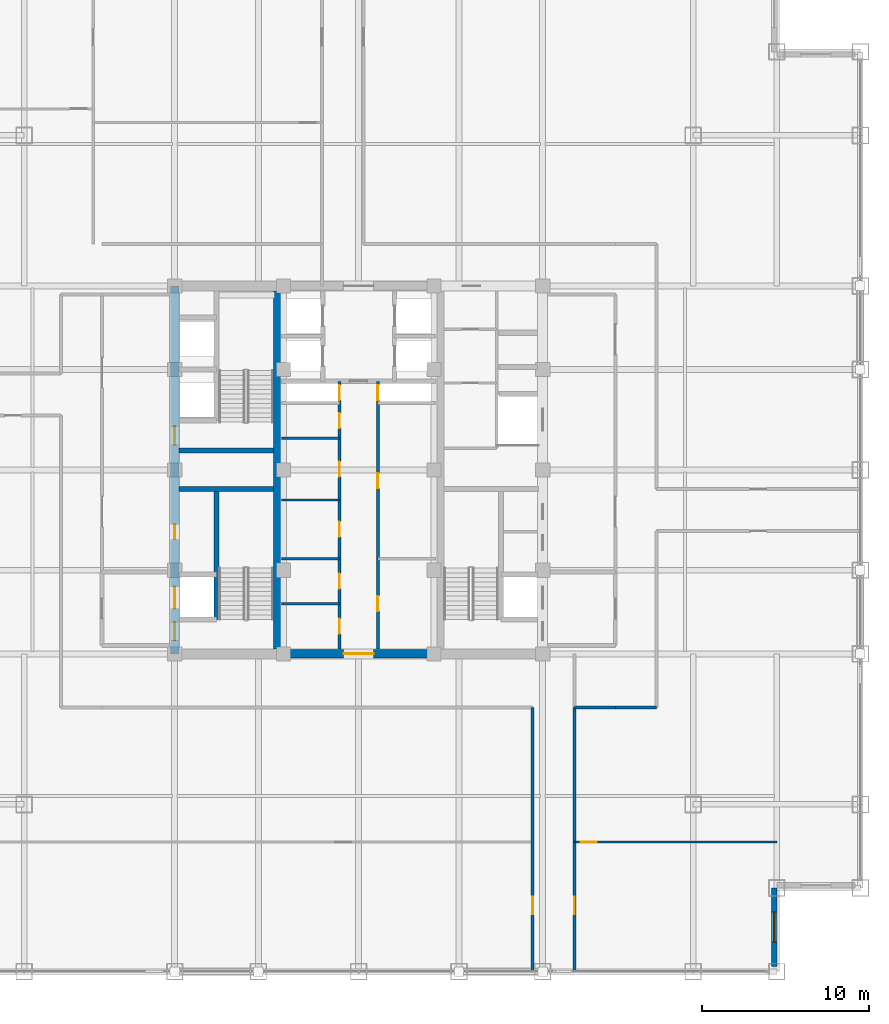
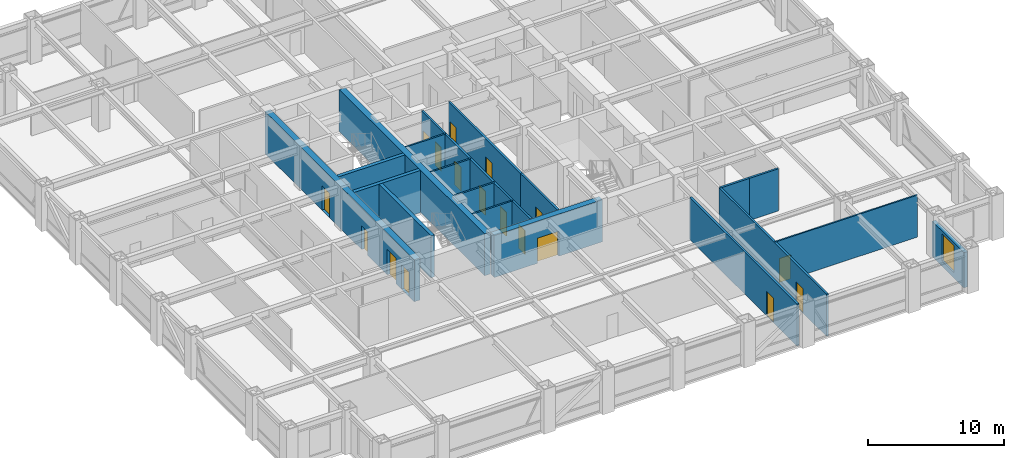
# One storey, part 20 of 24: 20 walls, 17 doors, 1 window, 18 openings.
"""IFC4 building model written with IfcOpenShell, lengths in metres."""

import ifcopenshell
import ifcopenshell.guid

model = None  # the IFC model being written
_history = None  # IfcOwnerHistory: only IFC2X3 demands one
_inside = {}  # id of a spatial element -> (the spatial element, [elements in it])
_under = {}  # id of a project, library or spatial element -> (it, [spatial elements below it])
_declared = {}  # id of a project -> (the project, [libraries it declares])
_typed = {}  # id of a type object -> (the type object, [elements of that type])
_made_of = {}  # id of a material, layer set ... -> (it, [elements and type objects made of it])


def new_model(schema):
    """Start an empty IFC model of exactly this schema.

    Asked for "IFC4X3", IfcOpenShell would pick the latest addendum, in which some entities
    have other attributes; the version numbers below select the first issue.
    IFC2X3 requires an IfcOwnerHistory on every rooted entity: one is made here for all.
    """
    global model, _history
    if schema == "IFC4X3":
        model = ifcopenshell.file(schema_version=(4, 3, 0, 0))
    else:
        model = ifcopenshell.file(schema=schema)
    _inside.clear()
    _under.clear()
    _declared.clear()
    _typed.clear()
    _made_of.clear()
    _history = None
    if model.schema == "IFC2X3":
        org = make("IfcOrganization", Name="unknown")
        user = make(
            "IfcPersonAndOrganization",
            ThePerson=make("IfcPerson", FamilyName="unknown"),
            TheOrganization=org,
        )
        app = make(
            "IfcApplication",
            ApplicationDeveloper=org,
            Version="unknown",
            ApplicationFullName="unknown",
            ApplicationIdentifier="unknown",
        )
        _history = make(
            "IfcOwnerHistory",
            OwningUser=user,
            OwningApplication=app,
            ChangeAction="ADDED",
            CreationDate=0,
        )
    return model


def make(cls, **values):
    """One entity of the class cls with the attributes given. An attribute that is None is left unset."""
    return model.create_entity(
        cls, **{name: value for name, value in values.items() if value is not None}
    )


def rooted(cls, **values):
    """An entity with a GlobalId (a new one), such as an element, a storey or a relation."""
    return make(cls, GlobalId=ifcopenshell.guid.new(), OwnerHistory=_history, **values)


def si_unit(unit_type, name, prefix=None):
    """IfcSIUnit, for example si_unit("LENGTHUNIT", "METRE", prefix="MILLI")."""
    return make("IfcSIUnit", UnitType=unit_type, Prefix=prefix, Name=name)


def assignment(units):
    """IfcUnitAssignment: the units of a project."""
    return None if units is None else make("IfcUnitAssignment", Units=units)


def point(xyz):
    """IfcCartesianPoint."""
    return None if xyz is None else make("IfcCartesianPoint", Coordinates=xyz)


def direction(xyz):
    """IfcDirection."""
    return None if xyz is None else make("IfcDirection", DirectionRatios=xyz)


def frame(location, z_axis=None, x_axis=None):
    """IfcAxis2Placement3D, a coordinate frame: its origin and axes. An axis left out is left unset."""
    return make(
        "IfcAxis2Placement3D",
        Location=point(location),
        Axis=direction(z_axis),
        RefDirection=direction(x_axis),
    )


def frame_2d(location, x_axis=None):
    """IfcAxis2Placement2D, a coordinate frame in the plane: its origin and x axis."""
    return make(
        "IfcAxis2Placement2D", Location=point(location), RefDirection=direction(x_axis)
    )


def origin():
    """The frame at (0, 0, 0) with its axes left unset."""
    return frame((0.0, 0.0, 0.0))


def place(relative_to, where):
    """IfcLocalPlacement: puts the frame where relative to a parent placement (None: the world)."""
    return make(
        "IfcLocalPlacement", PlacementRelTo=relative_to, RelativePlacement=where
    )


def context(
    kind, dimensions, precision=None, world=None, true_north=None, identifier=None
):
    """IfcGeometricRepresentationContext, for example the 3D "Model" context."""
    return make(
        "IfcGeometricRepresentationContext",
        ContextIdentifier=identifier,
        ContextType=kind,
        CoordinateSpaceDimension=dimensions,
        Precision=precision,
        WorldCoordinateSystem=world,
        TrueNorth=true_north,
    )


def subcontext(parent, identifier, kind, view, scale=None):
    """IfcGeometricRepresentationSubContext, for example "Body" below "Model"."""
    return make(
        "IfcGeometricRepresentationSubContext",
        ContextIdentifier=identifier,
        ContextType=kind,
        ParentContext=parent,
        TargetScale=scale,
        TargetView=view,
    )


def project(units=None, contexts=None):
    """IfcProject with its units and contexts."""
    return rooted(
        "IfcProject",
        Name="project",
        RepresentationContexts=contexts,
        UnitsInContext=assignment(units),
    )


def spatial(cls, under=None, at=None, **own):
    """A site, building, storey or space (cls), placed at a placement, below another one or the project."""
    s = rooted(cls, ObjectPlacement=at, **own)
    if under is not None:
        _under.setdefault(under.id(), (under, []))[1].append(s)
    return s


def profile(cls, at=None, kind="AREA", **sizes):
    """A parametric profile (cls). Its sizes go by their IFC names, for example OverallWidth=200.0."""
    return make(cls, ProfileType=kind, Position=at, **sizes)


def rectangle(**sizes):
    """IfcRectangleProfileDef."""
    return profile("IfcRectangleProfileDef", **sizes)


def extrude(swept, where, along, depth):
    """IfcExtrudedAreaSolid: the profile swept, set in the frame where, extruded along a direction by depth."""
    return make(
        "IfcExtrudedAreaSolid",
        SweptArea=swept,
        Position=where,
        ExtrudedDirection=direction(along),
        Depth=depth,
    )


def shape(context_of_items, identifier, shape_type, items):
    """IfcShapeRepresentation: the items that make up one representation, for example the "Body"."""
    return make(
        "IfcShapeRepresentation",
        ContextOfItems=context_of_items,
        RepresentationIdentifier=identifier,
        RepresentationType=shape_type,
        Items=items,
    )


def source(mapping_origin, context_of_items, identifier, shape_type, items):
    """IfcRepresentationMap: a shape defined once, which mapped items show again and again."""
    return make(
        "IfcRepresentationMap",
        MappingOrigin=mapping_origin,
        MappedRepresentation=shape(context_of_items, identifier, shape_type, items),
    )


def transform(
    local_origin,
    x_axis=None,
    y_axis=None,
    z_axis=None,
    scale=None,
    scale2=None,
    scale3=None,
    uniform=True,
):
    """IfcCartesianTransformationOperator3D, or its non-uniform kind. x_axis, y_axis, z_axis: its Axis1, 2, 3."""
    if uniform:
        return make(
            "IfcCartesianTransformationOperator3D",
            Axis1=direction(x_axis),
            Axis2=direction(y_axis),
            LocalOrigin=point(local_origin),
            Scale=scale,
            Axis3=direction(z_axis),
        )
    return make(
        "IfcCartesianTransformationOperator3DnonUniform",
        Axis1=direction(x_axis),
        Axis2=direction(y_axis),
        LocalOrigin=point(local_origin),
        Scale=scale,
        Axis3=direction(z_axis),
        Scale2=scale2,
        Scale3=scale3,
    )


def mapped(mapping_source, mapping_target):
    """IfcMappedItem: shows the shape of a source again, moved by a transform."""
    return make(
        "IfcMappedItem", MappingSource=mapping_source, MappingTarget=mapping_target
    )


def material(Name=None, Category=None):
    """IfcMaterial."""
    return make("IfcMaterial", Name=Name, Category=Category)


def layer(
    of_material, thickness, ventilated=None, Name=None, Category=None, Priority=None
):
    """IfcMaterialLayer: one layer of a wall or slab, of a material (None: an air gap)."""
    return make(
        "IfcMaterialLayer",
        Material=of_material,
        LayerThickness=thickness,
        IsVentilated=ventilated,
        Name=Name,
        Category=Category,
        Priority=Priority,
    )


def layer_set(layers, Name=None):
    """IfcMaterialLayerSet."""
    return make("IfcMaterialLayerSet", MaterialLayers=layers, LayerSetName=Name)


def made_of(thing, what):
    """Note that an element or type object is made of a material, layer set ...; save() writes the relation."""
    if what is not None:
        _made_of.setdefault(what.id(), (what, []))[1].append(thing)
    return thing


def type_object(cls, material=None, **own):
    """A type object (cls), such as IfcWallType, which elements share."""
    return made_of(rooted(cls, **own), material)


def element(
    cls,
    number,
    at=None,
    inside=None,
    cuts=None,
    type_object=None,
    material=None,
    context=None,
    identifier="Body",
    shape_type=None,
    held_by="IfcProductDefinitionShape",
    body=None,
    shapes=None,
    **own,
):
    """One element of the class cls, such as IfcWall. Its Tag is "e" and its number.

    at: its placement. inside: the storey or other place that contains it. cuts: it is an
    opening in that element (IfcRelVoidsElement). A single representation is given by context,
    identifier, shape_type and body (its items); several are given by shapes. held_by: the class
    of the entity that holds the representations. save() writes the other relations.
    """
    e = rooted(cls, Tag="e%d" % number, ObjectPlacement=at, **own)
    if body is not None:
        shapes = [shape(context, identifier, shape_type, body)]
    if shapes is not None:
        e.Representation = make(held_by, Representations=shapes)
    if inside is not None:
        _inside.setdefault(inside.id(), (inside, []))[1].append(e)
    if cuts is not None:
        rooted(
            "IfcRelVoidsElement", RelatingBuildingElement=cuts, RelatedOpeningElement=e
        )
    if type_object is not None:
        _typed.setdefault(type_object.id(), (type_object, []))[1].append(e)
    return made_of(e, material)


def fill(opening, filler):
    """IfcRelFillsElement: the door or window that sits in an opening."""
    return rooted(
        "IfcRelFillsElement",
        RelatingOpeningElement=opening,
        RelatedBuildingElement=filler,
    )


def aggregate(whole, parts):
    """IfcRelAggregates: a whole, such as a stair, and the parts it consists of."""
    return rooted("IfcRelAggregates", RelatingObject=whole, RelatedObjects=parts)


def save(model, path):
    """Write the relations noted so far, then the file.

    IfcRelAggregates (storeys below a building ...), IfcRelContainedInSpatialStructure (elements
    in a storey), IfcRelDefinesByType, IfcRelAssociatesMaterial and IfcRelDeclares: one each for
    every whole, place, type object, material and project.
    """
    for whole, parts in _under.values():
        aggregate(whole, parts)
    for where, things in _inside.values():
        rooted(
            "IfcRelContainedInSpatialStructure",
            RelatedElements=things,
            RelatingStructure=where,
        )
    for kind, things in _typed.values():
        rooted("IfcRelDefinesByType", RelatedObjects=things, RelatingType=kind)
    for what, things in _made_of.values():
        rooted("IfcRelAssociatesMaterial", RelatedObjects=things, RelatingMaterial=what)
    for by, libraries in _declared.values():
        rooted("IfcRelDeclares", RelatingContext=by, RelatedDefinitions=libraries)
    model.write(path)


model = new_model("IFC4")

# Units and contexts
model_context = context("Model", 3, precision=1e-05, world=origin(), true_north=direction((0.0, 1.0)))
body_context = subcontext(model_context, "Body", "Model", "MODEL_VIEW")
ifc_project = project(units=[si_unit("LENGTHUNIT", "METRE"), si_unit("AREAUNIT", "SQUARE_METRE"), si_unit("VOLUMEUNIT", "CUBIC_METRE"), si_unit("PLANEANGLEUNIT", "RADIAN"), si_unit("MASSUNIT", "GRAM", prefix="KILO")], contexts=[model_context])

# Site, building, storey
site_placement = place(None, origin())
site = spatial("IfcSite", under=ifc_project, at=site_placement, CompositionType="ELEMENT")
building_placement = place(site_placement, origin())
building = spatial("IfcBuilding", under=site, at=building_placement, Name="Khorayat Bourse Tower", CompositionType="ELEMENT")
storey_placement = place(building_placement, frame((0.0, 0.0, 259.10009765625)))
storey = spatial("IfcBuildingStorey", under=building, at=storey_placement, Name="L61", CompositionType="ELEMENT", Elevation=259.10009765625)

# Wall
ifc_material_1 = material(Name="Concrete C52/65", Category="concrete")
ifc_layer_1 = layer(ifc_material_1, 0.5)
ifc_layer_set_1 = layer_set([ifc_layer_1], Name="Concrete C52/65")
wall_type_1 = type_object("IfcWallType", Name="WAL-CORE-500", PredefinedType="SHEAR", material=ifc_layer_set_1)
shared_shape_1 = source(origin(), body_context, "Body", "SweptSolid", [
    extrude(rectangle(XDim=21.39990234375, YDim=0.5, at=frame_2d((10.699951171875, 0.0))), origin(), (0.0, 0.0, 1.0), 3.77978515625),
])
wall_1_placement = place(storey_placement, frame((-4.85009765625, -10.699951171875, 0.0), z_axis=(0.0, 0.0, 1.0), x_axis=(0.0, 1.0, 0.0)))
element("IfcWall", 1, at=wall_1_placement, inside=storey, type_object=wall_type_1, Name="L61 Core Shear Wall PIER-W", PredefinedType="SHEAR", context=body_context, shape_type="MappedRepresentation", body=[
    mapped(shared_shape_1, transform((0.0, 0.0, 0.0), scale=1.0)),
])

# Wall, opening, door
shared_shape_2 = source(origin(), body_context, "Body", "SweptSolid", [
    extrude(rectangle(XDim=9.2001953125, YDim=0.5, at=frame_2d((4.60009765625, 0.0))), origin(), (0.0, 0.0, 1.0), 3.77978515625),
])
wall_2_placement = place(storey_placement, frame((-4.60009765625, -11.0, 0.0), z_axis=(0.0, 0.0, 1.0), x_axis=(1.0, 0.0, 0.0)))
wall_2 = element("IfcWall", 2, at=wall_2_placement, inside=storey, type_object=wall_type_1, Name="L61 Core Shear Wall CORE-S", PredefinedType="SHEAR", context=body_context, shape_type="MappedRepresentation", body=[
    mapped(shared_shape_2, transform((0.0, 0.0, 0.0), scale=1.0)),
])
shared_shape_3 = source(origin(), body_context, "Body", "SweptSolid", [
    extrude(rectangle(XDim=1.800048828125, YDim=2.25, at=frame_2d((0.89990234375, 1.125))), frame((0.0, 0.260009765625, 0.0), z_axis=(0.0, -1.0, 0.0), x_axis=(1.0, 0.0, 0.0)), (0.0, 0.0, 1.0), 0.52001953125),
])
opening_1_placement = place(wall_2_placement, frame((3.699951171875, 0.0, 0.0)))
opening_1 = element("IfcOpeningElement", 3, at=opening_1_placement, cuts=wall_2, Name="Opening DI-03", PredefinedType="OPENING", context=body_context, shape_type="MappedRepresentation", body=[
    mapped(shared_shape_3, transform((0.0, 0.0, 0.0), scale=1.0)),
])
ifc_material_2 = material(Name="Fire-rated hardwood vision-panel double leaf", Category="wood")
door_type_1 = type_object("IfcDoorType", Name="DR-INT-CORR-1800", OperationType="NOTDEFINED", PredefinedType="DOOR", material=ifc_material_2)
shared_shape_4 = source(origin(), body_context, "Body", "SweptSolid", [
    extrude(rectangle(XDim=1.800048828125, YDim=2.25, at=frame_2d((0.89990234375, 1.125))), frame((0.0, 0.02490234375, 0.0), z_axis=(0.0, -1.0, 0.0), x_axis=(1.0, 0.0, 0.0)), (0.0, 0.0, 1.0), 0.050048828125),
])
door_1_placement = place(opening_1_placement, origin())
door_1 = element("IfcDoor", 4, at=door_1_placement, inside=storey, type_object=door_type_1, Name="L61 Central Core South Passage Door", OperationType="SINGLE_SWING_LEFT", OverallHeight=2.25, OverallWidth=1.800048828125, PredefinedType="DOOR", context=body_context, shape_type="MappedRepresentation", body=[
    mapped(shared_shape_4, transform((0.0, 0.0, 0.0), scale=1.0)),
])
fill(opening_1, door_1)

# Wall, openings, doors
shared_shape_5 = source(origin(), body_context, "Body", "SweptSolid", [
    extrude(rectangle(XDim=22.0, YDim=0.5, at=frame_2d((11.0, 0.0))), origin(), (0.0, 0.0, 1.0), 3.77978515625),
])
wall_3_placement = place(storey_placement, frame((-11.0, -11.0, 0.0), z_axis=(0.0, 0.0, 1.0), x_axis=(0.0, 1.0, 0.0)))
wall_3 = element("IfcWall", 5, at=wall_3_placement, inside=storey, type_object=wall_type_1, Name="L61 Core Shear Wall CORE-W", PredefinedType="SHEAR", context=body_context, shape_type="MappedRepresentation", body=[
    mapped(shared_shape_5, transform((0.0, 0.0, 0.0), scale=1.0)),
])
shared_shape_6 = source(origin(), body_context, "Body", "SweptSolid", [
    extrude(rectangle(XDim=1.10009765625, YDim=2.199951171875, at=frame_2d((0.550048828125, 1.10009765625))), frame((0.0, 0.260009765625, 0.0), z_axis=(0.0, -1.0, 0.0), x_axis=(1.0, 0.0, 0.0)), (0.0, 0.0, 1.0), 0.52001953125),
])
opening_2_placement = place(wall_3_placement, frame((0.800048828125, 0.0, 0.0)))
opening_2 = element("IfcOpeningElement", 6, at=opening_2_placement, cuts=wall_3, Name="Opening DI-01", PredefinedType="OPENING", context=body_context, shape_type="MappedRepresentation", body=[
    mapped(shared_shape_6, transform((0.0, 0.0, 0.0), scale=1.0)),
])
opening_3_placement = place(wall_3_placement, frame((12.5, 0.0, 0.0)))
opening_3 = element("IfcOpeningElement", 7, at=opening_3_placement, cuts=wall_3, Name="Opening DI-01", PredefinedType="OPENING", context=body_context, shape_type="MappedRepresentation", body=[
    mapped(shared_shape_6, transform((0.0, 0.0, 0.0), scale=1.0)),
])
shared_shape_7 = source(origin(), body_context, "Body", "SweptSolid", [
    extrude(rectangle(XDim=0.89990234375, YDim=2.14990234375, at=frame_2d((0.449951171875, 1.074951171875))), frame((0.0, 0.260009765625, 0.0), z_axis=(0.0, -1.0, 0.0), x_axis=(1.0, 0.0, 0.0)), (0.0, 0.0, 1.0), 0.52001953125),
])
opening_4_placement = place(wall_3_placement, frame((6.85009765625, 0.0, 0.0)))
opening_4 = element("IfcOpeningElement", 8, at=opening_4_placement, cuts=wall_3, Name="Opening DI-06", PredefinedType="OPENING", context=body_context, shape_type="MappedRepresentation", body=[
    mapped(shared_shape_7, transform((0.0, 0.0, 0.0), scale=1.0)),
])
shared_shape_8 = source(origin(), body_context, "Body", "SweptSolid", [
    extrude(rectangle(XDim=1.300048828125, YDim=2.300048828125, at=frame_2d((0.64990234375, 1.14990234375))), frame((0.0, 0.260009765625, 0.0), z_axis=(0.0, -1.0, 0.0), x_axis=(1.0, 0.0, 0.0)), (0.0, 0.0, 1.0), 0.52001953125),
])
opening_5_placement = place(wall_3_placement, frame((2.699951171875, 0.0, 0.0)))
opening_5 = element("IfcOpeningElement", 9, at=opening_5_placement, cuts=wall_3, Name="Opening LD-02", PredefinedType="OPENING", context=body_context, shape_type="MappedRepresentation", body=[
    mapped(shared_shape_8, transform((0.0, 0.0, 0.0), scale=1.0)),
])
ifc_material_3 = material(Name="Fire-rated steel acoustic leaf", Category="steel")
door_type_2 = type_object("IfcDoorType", Name="DR-INT-STAIR-1100", OperationType="NOTDEFINED", PredefinedType="DOOR", material=ifc_material_3)
shared_shape_9 = source(origin(), body_context, "Body", "SweptSolid", [
    extrude(rectangle(XDim=1.10009765625, YDim=2.199951171875, at=frame_2d((0.550048828125, 1.10009765625))), frame((0.0, 0.02490234375, 0.0), z_axis=(0.0, -1.0, 0.0), x_axis=(1.0, 0.0, 0.0)), (0.0, 0.0, 1.0), 0.050048828125),
])
door_2_placement = place(opening_2_placement, origin())
door_2 = element("IfcDoor", 10, at=door_2_placement, inside=storey, type_object=door_type_2, Name="L61 Exit Stair 1 Door", OperationType="SINGLE_SWING_RIGHT", OverallHeight=2.199951171875, OverallWidth=1.10009765625, PredefinedType="DOOR", context=body_context, shape_type="MappedRepresentation", body=[
    mapped(shared_shape_9, transform((0.0, 0.0, 0.0), scale=1.0)),
])
fill(opening_2, door_2)
door_3_placement = place(opening_3_placement, origin())
door_3 = element("IfcDoor", 11, at=door_3_placement, inside=storey, type_object=door_type_2, Name="L61 Exit Stair 2 Door", OperationType="SINGLE_SWING_RIGHT", OverallHeight=2.199951171875, OverallWidth=1.10009765625, PredefinedType="DOOR", context=body_context, shape_type="MappedRepresentation", body=[
    mapped(shared_shape_9, transform((0.0, 0.0, 0.0), scale=1.0)),
])
fill(opening_3, door_3)
ifc_material_4 = material(Name="Moisture-resistant laminate washroom door")
door_type_3 = type_object("IfcDoorType", Name="DR-INT-WC-900", OperationType="NOTDEFINED", PredefinedType="DOOR", material=ifc_material_4)
shared_shape_10 = source(origin(), body_context, "Body", "SweptSolid", [
    extrude(rectangle(XDim=0.89990234375, YDim=2.14990234375, at=frame_2d((0.449951171875, 1.074951171875))), frame((0.0, 0.02490234375, 0.0), z_axis=(0.0, -1.0, 0.0), x_axis=(1.0, 0.0, 0.0)), (0.0, 0.0, 1.0), 0.050048828125),
])
door_4_placement = place(opening_4_placement, origin())
door_4 = element("IfcDoor", 12, at=door_4_placement, inside=storey, type_object=door_type_3, Name="L61 Electrical Switch Plant Room Door", OperationType="SINGLE_SWING_RIGHT", OverallHeight=2.14990234375, OverallWidth=0.89990234375, PredefinedType="DOOR", context=body_context, shape_type="MappedRepresentation", body=[
    mapped(shared_shape_10, transform((0.0, 0.0, 0.0), scale=1.0)),
])
fill(opening_4, door_4)
ifc_material_5 = material(Name="Fire-rated stainless-steel sliding landing door", Category="steel")
door_type_4 = type_object("IfcDoorType", Name="DR-LIFT-FF-1300", OperationType="NOTDEFINED", PredefinedType="DOOR", material=ifc_material_5)
shared_shape_11 = source(origin(), body_context, "Body", "SweptSolid", [
    extrude(rectangle(XDim=1.300048828125, YDim=2.300048828125, at=frame_2d((0.64990234375, 1.14990234375))), frame((0.0, 0.02490234375, 0.0), z_axis=(0.0, -1.0, 0.0), x_axis=(1.0, 0.0, 0.0)), (0.0, 0.0, 1.0), 0.050048828125),
])
door_5_placement = place(opening_5_placement, origin())
door_5 = element("IfcDoor", 13, at=door_5_placement, inside=storey, type_object=door_type_4, Name="L61 Lift FFL-01 Sliding Landing Door", OperationType="SLIDING_TO_LEFT", OverallHeight=2.300048828125, OverallWidth=1.300048828125, PredefinedType="DOOR", context=body_context, shape_type="MappedRepresentation", body=[
    mapped(shared_shape_11, transform((0.0, 0.0, 0.0), scale=1.0)),
])
fill(opening_5, door_5)

# Walls
ifc_material_6 = material(Name="Concrete C50/60", Category="concrete")
ifc_layer_2 = layer(ifc_material_6, 0.300048828125)
ifc_layer_set_2 = layer_set([ifc_layer_2], Name="Concrete C50/60")
wall_type_2 = type_object("IfcWallType", Name="WAL-SHAFT-300", PredefinedType="SHEAR", material=ifc_layer_set_2)
shared_shape_12 = source(origin(), body_context, "Body", "SweptSolid", [
    extrude(rectangle(XDim=5.64990234375, YDim=0.300048828125, at=frame_2d((2.824951171875, 0.0))), origin(), (0.0, 0.0, 1.0), 3.77978515625),
])
for number, where, z_axis, x_axis, name in (
    (14, (-10.75, -1.14990234375, 0.0), (0.0, 0.0, 1.0), (1.0, 0.0, 0.0), "L61 Core Shear Wall ST1-DIV"),
    (15, (-10.75, 1.14990234375, 0.0), (0.0, 0.0, 1.0), (1.0, 0.0, 0.0), "L61 Core Shear Wall ST2-DIV"),
):
    element("IfcWall", number, at=place(storey_placement, frame(where, z_axis=z_axis, x_axis=x_axis)), inside=storey, type_object=wall_type_2, Name=name, PredefinedType="SHEAR", context=body_context, shape_type="MappedRepresentation", body=[
        mapped(shared_shape_12, transform((0.0, 0.0, 0.0), scale=1.0)),
    ])

# Wall, opening, window
ifc_material_7 = material(Name="Precast concrete C45/55", Category="concrete")
ifc_layer_3 = layer(ifc_material_7, 0.320068359375)
ifc_layer_set_3 = layer_set([ifc_layer_3], Name="Precast concrete C45/55")
wall_type_3 = type_object("IfcWallType", Name="WAL-EXT-STONE-320", PredefinedType="STANDARD", material=ifc_layer_set_3)
shared_shape_13 = source(origin(), body_context, "Body", "SweptSolid", [
    extrude(rectangle(XDim=4.679931640625, YDim=0.320068359375, at=frame_2d((2.33984375, 0.0))), origin(), (0.0, 0.0, 1.0), 3.163818359375),
])
wall_4_placement = place(storey_placement, frame((24.840087890625, -29.679931640625, 0.0), z_axis=(0.0, 0.0, 1.0), x_axis=(0.0, 1.0, 0.0)))
wall_4 = element("IfcWall", 16, at=wall_4_placement, inside=storey, type_object=wall_type_3, Name="L61 Re-Entrant Notch Limestone Wall SE-V", PredefinedType="STANDARD", context=body_context, shape_type="MappedRepresentation", body=[
    mapped(shared_shape_13, transform((0.0, 0.0, 0.0), scale=1.0)),
])
shared_shape_14 = source(origin(), body_context, "Body", "SweptSolid", [
    extrude(rectangle(XDim=1.800048828125, YDim=2.39990234375, at=frame_2d((0.89990234375, 1.199951171875))), frame((0.0, 0.169921875, 0.0), z_axis=(0.0, -1.0, 0.0), x_axis=(1.0, 0.0, 0.0)), (0.0, 0.0, 1.0), 0.340087890625),
])
opening_6_placement = place(wall_4_placement, frame((1.43994140625, 0.0, 0.5)))
opening_6 = element("IfcOpeningElement", 17, at=opening_6_placement, cuts=wall_4, Name="Opening WN-04", PredefinedType="OPENING", context=body_context, shape_type="MappedRepresentation", body=[
    mapped(shared_shape_14, transform((0.0, 0.0, 0.0), scale=1.0)),
])
ifc_material_8 = material(Name="Low-E acoustic laminated double glazing", Category="glass")
window_type = type_object("IfcWindowType", Name="WIN-NOTCH-1800x2400", PartitioningType="SINGLE_PANEL", PredefinedType="WINDOW", material=ifc_material_8)
shared_shape_15 = source(origin(), body_context, "Body", "SweptSolid", [
    extrude(rectangle(XDim=1.800048828125, YDim=2.39990234375, at=frame_2d((0.89990234375, 1.199951171875))), frame((0.0, 0.030029296875, 0.0), z_axis=(0.0, -1.0, 0.0), x_axis=(1.0, 0.0, 0.0)), (0.0, 0.0, 1.0), 0.06005859375),
])
window_placement = place(opening_6_placement, origin())
window = element("IfcWindow", 18, at=window_placement, inside=storey, type_object=window_type, Name="L61 Facade Window 1", OverallHeight=2.39990234375, OverallWidth=1.800048828125, PartitioningType="SINGLE_PANEL", PredefinedType="WINDOW", context=body_context, shape_type="MappedRepresentation", body=[
    mapped(shared_shape_15, transform((0.0, 0.0, 0.0), scale=1.0)),
])
fill(opening_6, window)

# Walls
shared_shape_16 = source(origin(), body_context, "Body", "SweptSolid", [
    extrude(rectangle(XDim=7.800048828125, YDim=0.300048828125, at=frame_2d((3.89990234375, 0.0))), origin(), (0.0, 0.0, 1.0), 3.77978515625),
])
wall_5_placement = place(storey_placement, frame((-8.5, -8.949951171875, 0.0), z_axis=(0.0, 0.0, 1.0), x_axis=(0.0, 1.0, 0.0)))
element("IfcWall", 19, at=wall_5_placement, inside=storey, type_object=wall_type_2, Name="L61 Partition WAL-L61-WPIER-SP", PredefinedType="SHEAR", context=body_context, shape_type="MappedRepresentation", body=[
    mapped(shared_shape_16, transform((0.0, 0.0, 0.0), scale=1.0)),
])
ifc_material_9 = material(Name="Gypsum plasterboard twin-frame partition")
ifc_layer_4 = layer(ifc_material_9, 0.14990234375)
ifc_layer_set_4 = layer_set([ifc_layer_4], Name="Gypsum plasterboard twin-frame partition")
wall_type_4 = type_object("IfcWallType", Name="WAL-PART-SUITE-150", PredefinedType="PARTITIONING", material=ifc_layer_set_4)
shared_shape_17 = source(origin(), body_context, "Body", "SweptSolid", [
    extrude(rectangle(XDim=3.4501953125, YDim=0.14990234375, at=frame_2d((1.72509765625, 0.0))), origin(), (0.0, 0.0, 1.0), 3.77978515625),
])
wall_6_placement = place(storey_placement, frame((-4.60009765625, -5.300048828125, 0.0), z_axis=(0.0, 0.0, 1.0), x_axis=(1.0, 0.0, 0.0)))
element("IfcWall", 20, at=wall_6_placement, inside=storey, type_object=wall_type_4, Name="L61 Partition WAL-L61-FB1-NW", PredefinedType="PARTITIONING", context=body_context, shape_type="MappedRepresentation", body=[
    mapped(shared_shape_17, transform((0.0, 0.0, 0.0), scale=1.0)),
])
ifc_material_10 = material(Name="Moisture-resistant masonry partition", Category="masonry")
ifc_layer_5 = layer(ifc_material_10, 0.139892578125)
ifc_layer_set_5 = layer_set([ifc_layer_5], Name="Moisture-resistant masonry partition")
wall_type_5 = type_object("IfcWallType", Name="WAL-PART-WET-140", PredefinedType="PARTITIONING", material=ifc_layer_set_5)
shared_shape_18 = source(origin(), body_context, "Body", "SweptSolid", [
    extrude(rectangle(XDim=3.4501953125, YDim=0.139892578125, at=frame_2d((1.72509765625, 0.0))), origin(), (0.0, 0.0, 1.0), 3.77978515625),
])
for number, where, z_axis, x_axis, name in (
    (21, (-4.60009765625, -8.0, 0.0), (0.0, 0.0, 1.0), (1.0, 0.0, 0.0), "L61 Partition WAL-L61-FB1W-D1"),
    (22, (-4.60009765625, -1.800048828125, 0.0), (0.0, 0.0, 1.0), (1.0, 0.0, 0.0), "L61 Partition WAL-L61-CMW-D1"),
    (23, (-4.60009765625, 1.89990234375, 0.0), (0.0, 0.0, 1.0), (1.0, 0.0, 0.0), "L61 Partition WAL-L61-CMW-D2"),
):
    element("IfcWall", number, at=place(storey_placement, frame(where, z_axis=z_axis, x_axis=x_axis)), inside=storey, type_object=wall_type_5, Name=name, PredefinedType="PARTITIONING", context=body_context, shape_type="MappedRepresentation", body=[
        mapped(shared_shape_18, transform((0.0, 0.0, 0.0), scale=1.0)),
    ])

# Wall, openings, doors
ifc_material_11 = material(Name="Gypsum plasterboard acoustic stud wall")
ifc_layer_6 = layer(ifc_material_11, 0.179931640625)
ifc_layer_set_6 = layer_set([ifc_layer_6], Name="Gypsum plasterboard acoustic stud wall")
wall_type_6 = type_object("IfcWallType", Name="WAL-PART-CORR-180", PredefinedType="PARTITIONING", material=ifc_layer_set_6)
shared_shape_19 = source(origin(), body_context, "Body", "SweptSolid", [
    extrude(rectangle(XDim=5.39990234375, YDim=0.179931640625, at=frame_2d((2.699951171875, 0.0))), origin(), (0.0, 0.0, 1.0), 3.77978515625),
])
wall_7_placement = place(storey_placement, frame((-1.14990234375, -10.699951171875, 0.0), z_axis=(0.0, 0.0, 1.0), x_axis=(0.0, 1.0, 0.0)))
wall_7 = element("IfcWall", 24, at=wall_7_placement, inside=storey, type_object=wall_type_6, Name="L61 Partition WAL-L61-FB1W-L", PredefinedType="PARTITIONING", context=body_context, shape_type="MappedRepresentation", body=[
    mapped(shared_shape_19, transform((0.0, 0.0, 0.0), scale=1.0)),
])
shared_shape_20 = source(origin(), body_context, "Body", "SweptSolid", [
    extrude(rectangle(XDim=0.89990234375, YDim=2.14990234375, at=frame_2d((0.449951171875, 1.074951171875))), frame((0.0, 0.099853515625, 0.0), z_axis=(0.0, -1.0, 0.0), x_axis=(1.0, 0.0, 0.0)), (0.0, 0.0, 1.0), 0.199951171875),
])
opening_7_placement = place(wall_7_placement, frame((0.89990234375, 0.0, 0.0)))
opening_7 = element("IfcOpeningElement", 25, at=opening_7_placement, cuts=wall_7, Name="Opening DI-06", PredefinedType="OPENING", context=body_context, shape_type="MappedRepresentation", body=[
    mapped(shared_shape_20, transform((0.0, 0.0, 0.0), scale=1.0)),
])
opening_8_placement = place(wall_7_placement, frame((3.60009765625, 0.0, 0.0)))
opening_8 = element("IfcOpeningElement", 26, at=opening_8_placement, cuts=wall_7, Name="Opening DI-06", PredefinedType="OPENING", context=body_context, shape_type="MappedRepresentation", body=[
    mapped(shared_shape_20, transform((0.0, 0.0, 0.0), scale=1.0)),
])
door_6_placement = place(opening_7_placement, origin())
door_6 = element("IfcDoor", 27, at=door_6_placement, inside=storey, type_object=door_type_3, Name="L61 Clearing Vault Store Door", OperationType="SINGLE_SWING_RIGHT", OverallHeight=2.14990234375, OverallWidth=0.89990234375, PredefinedType="DOOR", context=body_context, shape_type="MappedRepresentation", body=[
    mapped(shared_shape_10, transform((0.0, 0.0, 0.0), scale=1.0)),
])
fill(opening_7, door_6)
door_7_placement = place(opening_8_placement, origin())
door_7 = element("IfcDoor", 28, at=door_7_placement, inside=storey, type_object=door_type_3, Name="L61 UPS Battery Plant Room Door", OperationType="SINGLE_SWING_LEFT", OverallHeight=2.14990234375, OverallWidth=0.89990234375, PredefinedType="DOOR", context=body_context, shape_type="MappedRepresentation", body=[
    mapped(shared_shape_10, transform((0.0, 0.0, 0.0), scale=1.0)),
])
fill(opening_8, door_7)

# Wall, opening, door
wall_8_placement = place(storey_placement, frame((1.14990234375, -10.699951171875, 0.0), z_axis=(0.0, 0.0, 1.0), x_axis=(0.0, 1.0, 0.0)))
wall_8 = element("IfcWall", 29, at=wall_8_placement, inside=storey, type_object=wall_type_6, Name="L61 Partition WAL-L61-FB1E-L", PredefinedType="PARTITIONING", context=body_context, shape_type="MappedRepresentation", body=[
    mapped(shared_shape_19, transform((0.0, 0.0, 0.0), scale=1.0)),
])
opening_9_placement = place(wall_8_placement, frame((2.25, 0.0, 0.0)))
opening_9 = element("IfcOpeningElement", 30, at=opening_9_placement, cuts=wall_8, Name="Opening DI-06", PredefinedType="OPENING", context=body_context, shape_type="MappedRepresentation", body=[
    mapped(shared_shape_20, transform((0.0, 0.0, 0.0), scale=1.0)),
])
door_8_placement = place(opening_9_placement, origin())
door_8 = element("IfcDoor", 31, at=door_8_placement, inside=storey, type_object=door_type_3, Name="L61 Core Archive Vault Door", OperationType="SINGLE_SWING_RIGHT", OverallHeight=2.14990234375, OverallWidth=0.89990234375, PredefinedType="DOOR", context=body_context, shape_type="MappedRepresentation", body=[
    mapped(shared_shape_10, transform((0.0, 0.0, 0.0), scale=1.0)),
])
fill(opening_9, door_8)

# Wall, openings, doors
shared_shape_21 = source(origin(), body_context, "Body", "SweptSolid", [
    extrude(rectangle(XDim=10.60009765625, YDim=0.179931640625, at=frame_2d((5.300048828125, 0.0))), origin(), (0.0, 0.0, 1.0), 3.77978515625),
])
wall_9_placement = place(storey_placement, frame((-1.14990234375, -5.300048828125, 0.0), z_axis=(0.0, 0.0, 1.0), x_axis=(0.0, 1.0, 0.0)))
wall_9 = element("IfcWall", 32, at=wall_9_placement, inside=storey, type_object=wall_type_6, Name="L61 Partition WAL-L61-CMW-L", PredefinedType="PARTITIONING", context=body_context, shape_type="MappedRepresentation", body=[
    mapped(shared_shape_21, transform((0.0, 0.0, 0.0), scale=1.0)),
])
opening_10_placement = place(wall_9_placement, frame((1.300048828125, 0.0, 0.0)))
opening_10 = element("IfcOpeningElement", 33, at=opening_10_placement, cuts=wall_9, Name="Opening DI-06", PredefinedType="OPENING", context=body_context, shape_type="MappedRepresentation", body=[
    mapped(shared_shape_20, transform((0.0, 0.0, 0.0), scale=1.0)),
])
opening_11_placement = place(wall_9_placement, frame((4.89990234375, 0.0, 0.0)))
opening_11 = element("IfcOpeningElement", 34, at=opening_11_placement, cuts=wall_9, Name="Opening DI-06", PredefinedType="OPENING", context=body_context, shape_type="MappedRepresentation", body=[
    mapped(shared_shape_20, transform((0.0, 0.0, 0.0), scale=1.0)),
])
opening_12_placement = place(wall_9_placement, frame((7.800048828125, 0.0, 0.0)))
opening_12 = element("IfcOpeningElement", 35, at=opening_12_placement, cuts=wall_9, Name="Opening DI-06", PredefinedType="OPENING", context=body_context, shape_type="MappedRepresentation", body=[
    mapped(shared_shape_20, transform((0.0, 0.0, 0.0), scale=1.0)),
])
opening_13_placement = place(wall_9_placement, frame((9.47509765625, 0.0, 0.0)))
opening_13 = element("IfcOpeningElement", 36, at=opening_13_placement, cuts=wall_9, Name="Opening DI-06", PredefinedType="OPENING", context=body_context, shape_type="MappedRepresentation", body=[
    mapped(shared_shape_20, transform((0.0, 0.0, 0.0), scale=1.0)),
])
door_9_placement = place(opening_10_placement, origin())
door_9 = element("IfcDoor", 37, at=door_9_placement, inside=storey, type_object=door_type_3, Name="L61 Male Core Washroom Door", OperationType="SINGLE_SWING_RIGHT", OverallHeight=2.14990234375, OverallWidth=0.89990234375, PredefinedType="DOOR", context=body_context, shape_type="MappedRepresentation", body=[
    mapped(shared_shape_10, transform((0.0, 0.0, 0.0), scale=1.0)),
])
fill(opening_10, door_9)
door_10_placement = place(opening_11_placement, origin())
door_10 = element("IfcDoor", 38, at=door_10_placement, inside=storey, type_object=door_type_3, Name="L61 AHU Fan Plant Room Door", OperationType="SINGLE_SWING_LEFT", OverallHeight=2.14990234375, OverallWidth=0.89990234375, PredefinedType="DOOR", context=body_context, shape_type="MappedRepresentation", body=[
    mapped(shared_shape_10, transform((0.0, 0.0, 0.0), scale=1.0)),
])
fill(opening_11, door_10)
door_11_placement = place(opening_12_placement, origin())
door_11 = element("IfcDoor", 39, at=door_11_placement, inside=storey, type_object=door_type_3, Name="L61 Janitor Store Door", OperationType="SINGLE_SWING_RIGHT", OverallHeight=2.14990234375, OverallWidth=0.89990234375, PredefinedType="DOOR", context=body_context, shape_type="MappedRepresentation", body=[
    mapped(shared_shape_10, transform((0.0, 0.0, 0.0), scale=1.0)),
])
fill(opening_12, door_11)
door_12_placement = place(opening_13_placement, origin())
door_12 = element("IfcDoor", 40, at=door_12_placement, inside=storey, type_object=door_type_3, Name="L61 West Core Riser Door", OperationType="SINGLE_SWING_LEFT", OverallHeight=2.14990234375, OverallWidth=0.89990234375, PredefinedType="DOOR", context=body_context, shape_type="MappedRepresentation", body=[
    mapped(shared_shape_10, transform((0.0, 0.0, 0.0), scale=1.0)),
])
fill(opening_13, door_12)

wall_10_placement = place(storey_placement, frame((1.14990234375, -5.300048828125, 0.0), z_axis=(0.0, 0.0, 1.0), x_axis=(0.0, 1.0, 0.0)))
wall_10 = element("IfcWall", 41, at=wall_10_placement, inside=storey, type_object=wall_type_6, Name="L61 Partition WAL-L61-CME-L", PredefinedType="PARTITIONING", context=body_context, shape_type="MappedRepresentation", body=[
    mapped(shared_shape_21, transform((0.0, 0.0, 0.0), scale=1.0)),
])
opening_14_placement = place(wall_10_placement, frame((4.199951171875, 0.0, 0.0)))
opening_14 = element("IfcOpeningElement", 42, at=opening_14_placement, cuts=wall_10, Name="Opening DI-06", PredefinedType="OPENING", context=body_context, shape_type="MappedRepresentation", body=[
    mapped(shared_shape_20, transform((0.0, 0.0, 0.0), scale=1.0)),
])
opening_15_placement = place(wall_10_placement, frame((9.47509765625, 0.0, 0.0)))
opening_15 = element("IfcOpeningElement", 43, at=opening_15_placement, cuts=wall_10, Name="Opening DI-06", PredefinedType="OPENING", context=body_context, shape_type="MappedRepresentation", body=[
    mapped(shared_shape_20, transform((0.0, 0.0, 0.0), scale=1.0)),
])
door_13_placement = place(opening_14_placement, origin())
door_13 = element("IfcDoor", 44, at=door_13_placement, inside=storey, type_object=door_type_3, Name="L61 Female Core Washroom Door", OperationType="SINGLE_SWING_RIGHT", OverallHeight=2.14990234375, OverallWidth=0.89990234375, PredefinedType="DOOR", context=body_context, shape_type="MappedRepresentation", body=[
    mapped(shared_shape_10, transform((0.0, 0.0, 0.0), scale=1.0)),
])
fill(opening_14, door_13)
door_14_placement = place(opening_15_placement, origin())
door_14 = element("IfcDoor", 45, at=door_14_placement, inside=storey, type_object=door_type_3, Name="L61 East Core Riser Door", OperationType="SINGLE_SWING_RIGHT", OverallHeight=2.14990234375, OverallWidth=0.89990234375, PredefinedType="DOOR", context=body_context, shape_type="MappedRepresentation", body=[
    mapped(shared_shape_10, transform((0.0, 0.0, 0.0), scale=1.0)),
])
fill(opening_15, door_14)

# Wall
shared_shape_22 = source(origin(), body_context, "Body", "SweptSolid", [
    extrude(rectangle(XDim=2.449951171875, YDim=0.179931640625, at=frame_2d((1.22509765625, 0.0))), origin(), (0.0, 0.0, 1.0), 3.77978515625),
])
wall_11_placement = place(storey_placement, frame((15.35009765625, -14.199951171875, 0.0), z_axis=(0.0, 0.0, 1.0), x_axis=(1.0, 0.0, 0.0)))
element("IfcWall", 46, at=wall_11_placement, inside=storey, type_object=wall_type_6, Name="L61 Partition WAL-L61-C2-ES", PredefinedType="PARTITIONING", context=body_context, shape_type="MappedRepresentation", body=[
    mapped(shared_shape_22, transform((0.0, 0.0, 0.0), scale=1.0)),
])

# Wall, opening, door
shared_shape_23 = source(origin(), body_context, "Body", "SweptSolid", [
    extrude(rectangle(XDim=15.800048828125, YDim=0.179931640625, at=frame_2d((7.89990234375, 0.0))), origin(), (0.0, 0.0, 1.0), 3.77978515625),
])
wall_12_placement = place(storey_placement, frame((10.39990234375, -30.0, 0.0), z_axis=(0.0, 0.0, 1.0), x_axis=(0.0, 1.0, 0.0)))
wall_12 = element("IfcWall", 47, at=wall_12_placement, inside=storey, type_object=wall_type_6, Name="L61 Partition WAL-L61-QSW-SPK", PredefinedType="PARTITIONING", context=body_context, shape_type="MappedRepresentation", body=[
    mapped(shared_shape_23, transform((0.0, 0.0, 0.0), scale=1.0)),
])
shared_shape_24 = source(origin(), body_context, "Body", "SweptSolid", [
    extrude(rectangle(XDim=1.050048828125, YDim=2.199951171875, at=frame_2d((0.52490234375, 1.10009765625))), frame((0.0, 0.099853515625, 0.0), z_axis=(0.0, -1.0, 0.0), x_axis=(1.0, 0.0, 0.0)), (0.0, 0.0, 1.0), 0.199951171875),
])
opening_16_placement = place(wall_12_placement, frame((3.425048828125, 0.0, 0.0)))
opening_16 = element("IfcOpeningElement", 48, at=opening_16_placement, cuts=wall_12, Name="Opening DI-04", PredefinedType="OPENING", context=body_context, shape_type="MappedRepresentation", body=[
    mapped(shared_shape_24, transform((0.0, 0.0, 0.0), scale=1.0)),
])
ifc_material_12 = material(Name="Fire-rated oak veneer suite entrance door")
door_type_5 = type_object("IfcDoorType", Name="DR-INT-SUITE-1050", OperationType="NOTDEFINED", PredefinedType="DOOR", material=ifc_material_12)
shared_shape_25 = source(origin(), body_context, "Body", "SweptSolid", [
    extrude(rectangle(XDim=1.050048828125, YDim=2.199951171875, at=frame_2d((0.52490234375, 1.10009765625))), frame((0.0, 0.02490234375, 0.0), z_axis=(0.0, -1.0, 0.0), x_axis=(1.0, 0.0, 0.0)), (0.0, 0.0, 1.0), 0.050048828125),
])
door_15_placement = place(opening_16_placement, origin())
door_15 = element("IfcDoor", 49, at=door_15_placement, inside=storey, type_object=door_type_5, Name="L61 South-West Radial Spoke Entry", OperationType="SINGLE_SWING_LEFT", OverallHeight=2.199951171875, OverallWidth=1.050048828125, PredefinedType="DOOR", context=body_context, shape_type="MappedRepresentation", body=[
    mapped(shared_shape_25, transform((0.0, 0.0, 0.0), scale=1.0)),
])
fill(opening_16, door_15)

wall_13_placement = place(storey_placement, frame((12.89990234375, -30.0, 0.0), z_axis=(0.0, 0.0, 1.0), x_axis=(0.0, 1.0, 0.0)))
wall_13 = element("IfcWall", 50, at=wall_13_placement, inside=storey, type_object=wall_type_6, Name="L61 Partition WAL-L61-QSE-SPK", PredefinedType="PARTITIONING", context=body_context, shape_type="MappedRepresentation", body=[
    mapped(shared_shape_23, transform((0.0, 0.0, 0.0), scale=1.0)),
])
opening_17_placement = place(wall_13_placement, frame((3.425048828125, 0.0, 0.0)))
opening_17 = element("IfcOpeningElement", 51, at=opening_17_placement, cuts=wall_13, Name="Opening DI-04", PredefinedType="OPENING", context=body_context, shape_type="MappedRepresentation", body=[
    mapped(shared_shape_24, transform((0.0, 0.0, 0.0), scale=1.0)),
])
door_16_placement = place(opening_17_placement, origin())
door_16 = element("IfcDoor", 52, at=door_16_placement, inside=storey, type_object=door_type_5, Name="L61 South-East Radial Spoke Entry", OperationType="SINGLE_SWING_LEFT", OverallHeight=2.199951171875, OverallWidth=1.050048828125, PredefinedType="DOOR", context=body_context, shape_type="MappedRepresentation", body=[
    mapped(shared_shape_25, transform((0.0, 0.0, 0.0), scale=1.0)),
])
fill(opening_17, door_16)

# Wall
shared_shape_26 = source(origin(), body_context, "Body", "SweptSolid", [
    extrude(rectangle(XDim=2.4501953125, YDim=0.179931640625, at=frame_2d((1.22509765625, 0.0))), origin(), (0.0, 0.0, 1.0), 3.77978515625),
])
wall_14_placement = place(storey_placement, frame((12.89990234375, -14.199951171875, 0.0), z_axis=(0.0, 0.0, 1.0), x_axis=(1.0, 0.0, 0.0)))
element("IfcWall", 53, at=wall_14_placement, inside=storey, type_object=wall_type_6, Name="L61 Partition WAL-L61-QSE-HC", PredefinedType="PARTITIONING", context=body_context, shape_type="MappedRepresentation", body=[
    mapped(shared_shape_26, transform((0.0, 0.0, 0.0), scale=1.0)),
])

# Wall, opening, door
ifc_material_13 = material(Name="Gypsum plasterboard partition")
ifc_layer_7 = layer(ifc_material_13, 0.125)
ifc_layer_set_7 = layer_set([ifc_layer_7], Name="Gypsum plasterboard partition")
wall_type_7 = type_object("IfcWallType", Name="WAL-PART-ROOM-125", PredefinedType="PARTITIONING", material=ifc_layer_set_7)
shared_shape_27 = source(origin(), body_context, "Body", "SweptSolid", [
    extrude(rectangle(XDim=12.10009765625, YDim=0.125, at=frame_2d((6.050048828125, 0.0))), origin(), (0.0, 0.0, 1.0), 3.77978515625),
])
wall_15_placement = place(storey_placement, frame((12.89990234375, -22.258056640625, 0.0), z_axis=(0.0, 0.0, 1.0), x_axis=(1.0, 0.0, 0.0)))
wall_15 = element("IfcWall", 54, at=wall_15_placement, inside=storey, type_object=wall_type_7, Name="L61 Partition WAL-L61-QSEDP-1", PredefinedType="PARTITIONING", context=body_context, shape_type="MappedRepresentation", body=[
    mapped(shared_shape_27, transform((0.0, 0.0, 0.0), scale=1.0)),
])
shared_shape_28 = source(origin(), body_context, "Body", "SweptSolid", [
    extrude(rectangle(XDim=0.949951171875, YDim=2.14990234375, at=frame_2d((0.47509765625, 1.074951171875))), frame((0.0, 0.072509765625, 0.0), z_axis=(0.0, -1.0, 0.0), x_axis=(1.0, 0.0, 0.0)), (0.0, 0.0, 1.0), 0.14501953125),
])
opening_18_placement = place(wall_15_placement, frame((0.375, 0.0, 0.0)))
opening_18 = element("IfcOpeningElement", 55, at=opening_18_placement, cuts=wall_15, Name="Opening DI-05", PredefinedType="OPENING", context=body_context, shape_type="MappedRepresentation", body=[
    mapped(shared_shape_28, transform((0.0, 0.0, 0.0), scale=1.0)),
])
ifc_material_14 = material(Name="Acoustic oak veneer office door")
door_type_6 = type_object("IfcDoorType", Name="DR-INT-OFFICE-950", OperationType="NOTDEFINED", PredefinedType="DOOR", material=ifc_material_14)
shared_shape_29 = source(origin(), body_context, "Body", "SweptSolid", [
    extrude(rectangle(XDim=0.949951171875, YDim=2.14990234375, at=frame_2d((0.47509765625, 1.074951171875))), frame((0.0, 0.02490234375, 0.0), z_axis=(0.0, -1.0, 0.0), x_axis=(1.0, 0.0, 0.0)), (0.0, 0.0, 1.0), 0.050048828125),
])
door_17_placement = place(opening_18_placement, origin())
door_17 = element("IfcDoor", 56, at=door_17_placement, inside=storey, type_object=door_type_6, Name="L61 South-East Executive Wellness Fitness Gym 1B Door", OperationType="SINGLE_SWING_RIGHT", OverallHeight=2.14990234375, OverallWidth=0.949951171875, PredefinedType="DOOR", context=body_context, shape_type="MappedRepresentation", body=[
    mapped(shared_shape_29, transform((0.0, 0.0, 0.0), scale=1.0)),
])
fill(opening_18, door_17)

save(model, "model.ifc")
